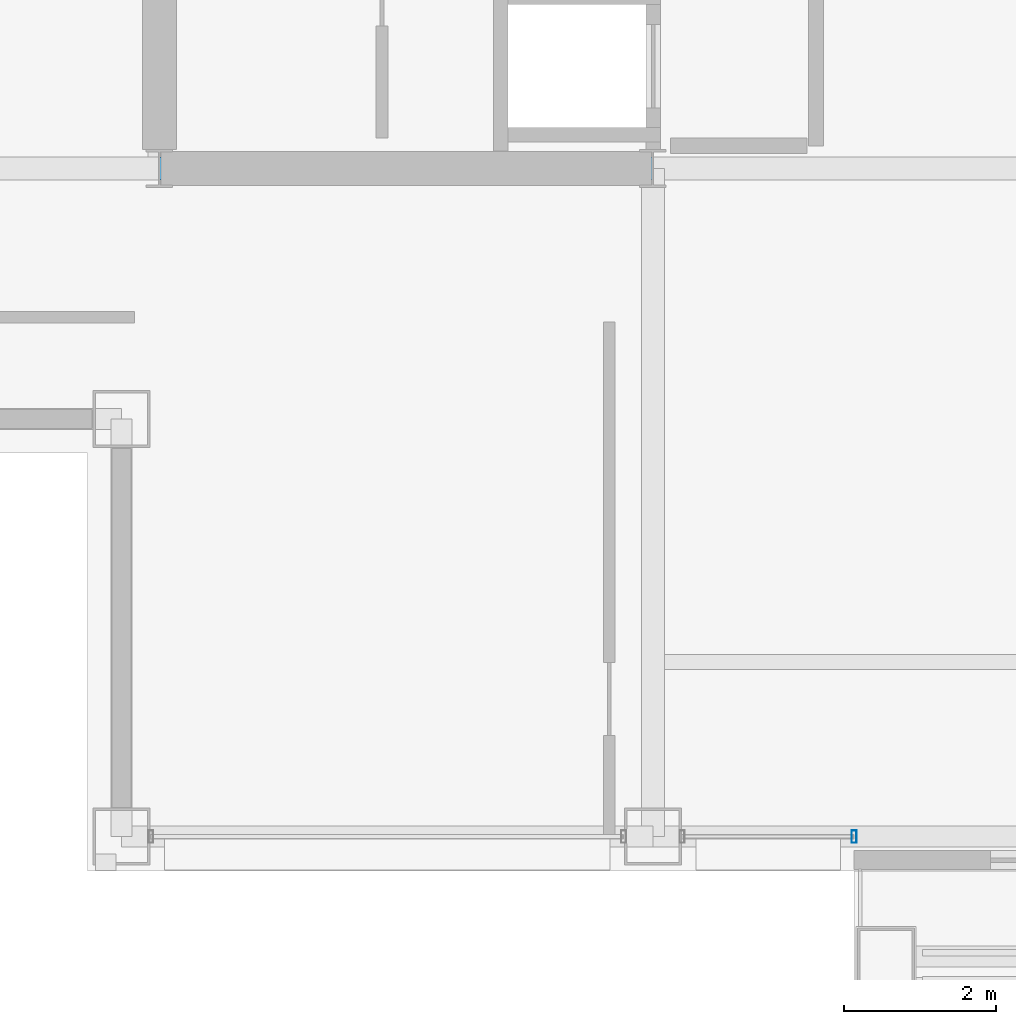
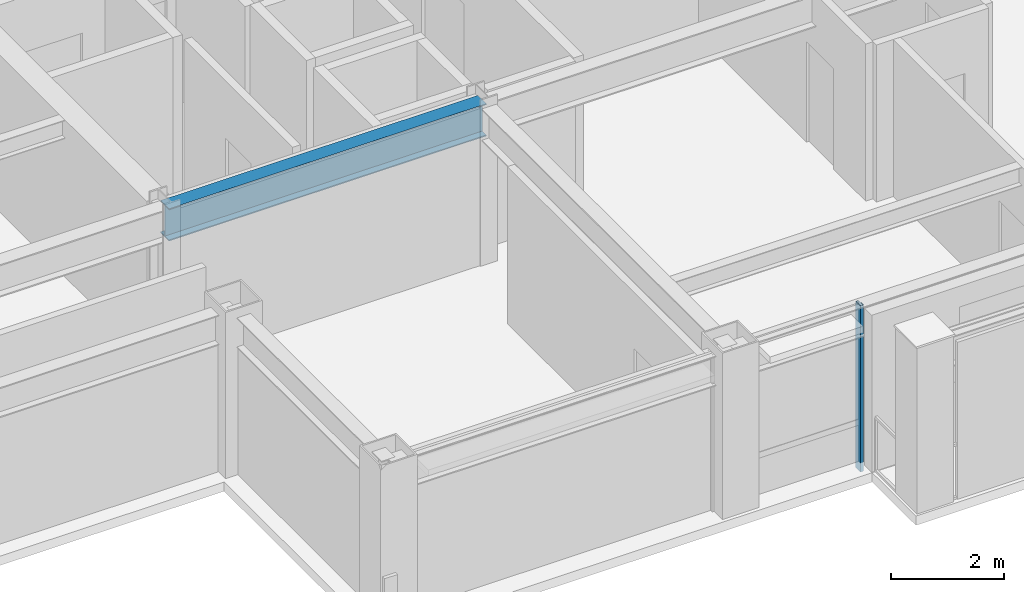
# One storey, part 5 of 27: 1 beam, 1 member, 1 element without a shape of its own.
"""IFC4 building model written with IfcOpenShell, lengths in metres."""

from ifc_helpers import new_model, si_unit, direction, frame, origin, origin_2d, place, context, subcontext, project, spatial, hollow_rectangle, i_section, extrude, material, layer, layer_set, material_profile, profile_set, type_object, element, aggregate, save


model = new_model("IFC4")

# Units and contexts
model_context = context("Model", 3, precision=1e-05, world=origin(), true_north=direction((0.0, 1.0)))
body_context = subcontext(model_context, "Body", "Model", "MODEL_VIEW")
ifc_project = project(units=[si_unit("LENGTHUNIT", "METRE"), si_unit("AREAUNIT", "SQUARE_METRE"), si_unit("VOLUMEUNIT", "CUBIC_METRE"), si_unit("PLANEANGLEUNIT", "RADIAN"), si_unit("MASSUNIT", "GRAM", prefix="KILO")], contexts=[model_context])

# Site, building, storey
site_placement = place(None, origin())
site = spatial("IfcSite", under=ifc_project, at=site_placement, CompositionType="ELEMENT")
building_placement = place(site_placement, origin())
building = spatial("IfcBuilding", under=site, at=building_placement, Name="Brelmoor Portico Tower", CompositionType="ELEMENT")
storey_placement = place(building_placement, frame((0.0, 0.0, 158.699951171875)))
storey = spatial("IfcBuildingStorey", under=building, at=storey_placement, Name="L41", CompositionType="ELEMENT", Elevation=158.699951171875)

# Beam
ifc_material_1 = material(Name="Steel Q355B", Category="steel")
ifc_material_profile_1 = material_profile(ifc_material_1, i_section(OverallWidth=0.300048828125, OverallDepth=0.699951171875, WebThickness=0.012939453125, FlangeThickness=0.02392578125, at=origin_2d()), Name="HN 700x300x13x24")
ifc_profile_set_1 = profile_set([ifc_material_profile_1], Name="Steel Q355B")
beam_type = type_object("IfcBeamType", Name="BM-PG-700", PredefinedType="BEAM", material=ifc_profile_set_1)
beam_placement = place(storey_placement, frame((-14.550048828125, -9.75, 3.050048828125), z_axis=(1.0, 0.0, 0.0), x_axis=(0.0, 1.0, 0.0)))
element("IfcBeam", 1, at=beam_placement, inside=storey, type_object=beam_type, Name="L41 Primary Floor Girder PG-12", PredefinedType="BEAM", context=body_context, shape_type="SweptSolid", body=[
    extrude(i_section(OverallWidth=0.300048828125, OverallDepth=0.699951171875, WebThickness=0.012939453125, FlangeThickness=0.02392578125, at=origin_2d()), origin(), (0.0, 0.0, 1.0), 6.5),
])

# Curtain wall, member
ifc_material_2 = material(Name="Anodised Aluminium Alloy 6063-T6", Category="aluminium")
ifc_layer = layer(ifc_material_2, 0.179931640625)
ifc_layer_set = layer_set([ifc_layer], Name="Anodised Aluminium Alloy 6063-T6")
curtain_wall_type = type_object("IfcCurtainWallType", Name="CW-TOWER-Z3", PredefinedType="NOTDEFINED", material=ifc_layer_set)
curtain_wall_placement = place(storey_placement, origin())
curtain_wall = element("IfcCurtainWall", 2, at=curtain_wall_placement, inside=storey, type_object=curtain_wall_type, Name="L41 Curtain Wall CW-L41-1L-2", PredefinedType="NOTDEFINED")
ifc_material_profile_2 = material_profile(ifc_material_2, hollow_rectangle(XDim=0.06494140625, YDim=0.1650390625, WallThickness=0.00390625, at=origin_2d()), Name="ALU MULLION 65x165")
ifc_profile_set_2 = profile_set([ifc_material_profile_2], Name="Anodised Aluminium Alloy 6063-T6")
member_type = type_object("IfcMemberType", Name="MB-CW-MULL-165", PredefinedType="MULLION", material=ifc_profile_set_2)
member_placement = place(storey_placement, frame((-5.39990234375, -18.550048828125, -0.199951171875), z_axis=(0.0, 0.0, 1.0), x_axis=(1.0, 0.0, 0.0)))
member = element("IfcMember", 3, at=member_placement, type_object=member_type, Name="CW-L41-1L-2 Mullion 01", PredefinedType="MULLION", context=body_context, shape_type="SweptSolid", body=[
    extrude(hollow_rectangle(XDim=0.06494140625, YDim=0.1650390625, WallThickness=0.00390625, at=origin_2d()), origin(), (0.0, 0.0, 1.0), 3.60009765625),
])
aggregate(curtain_wall, [member])

save(model, "model.ifc")
